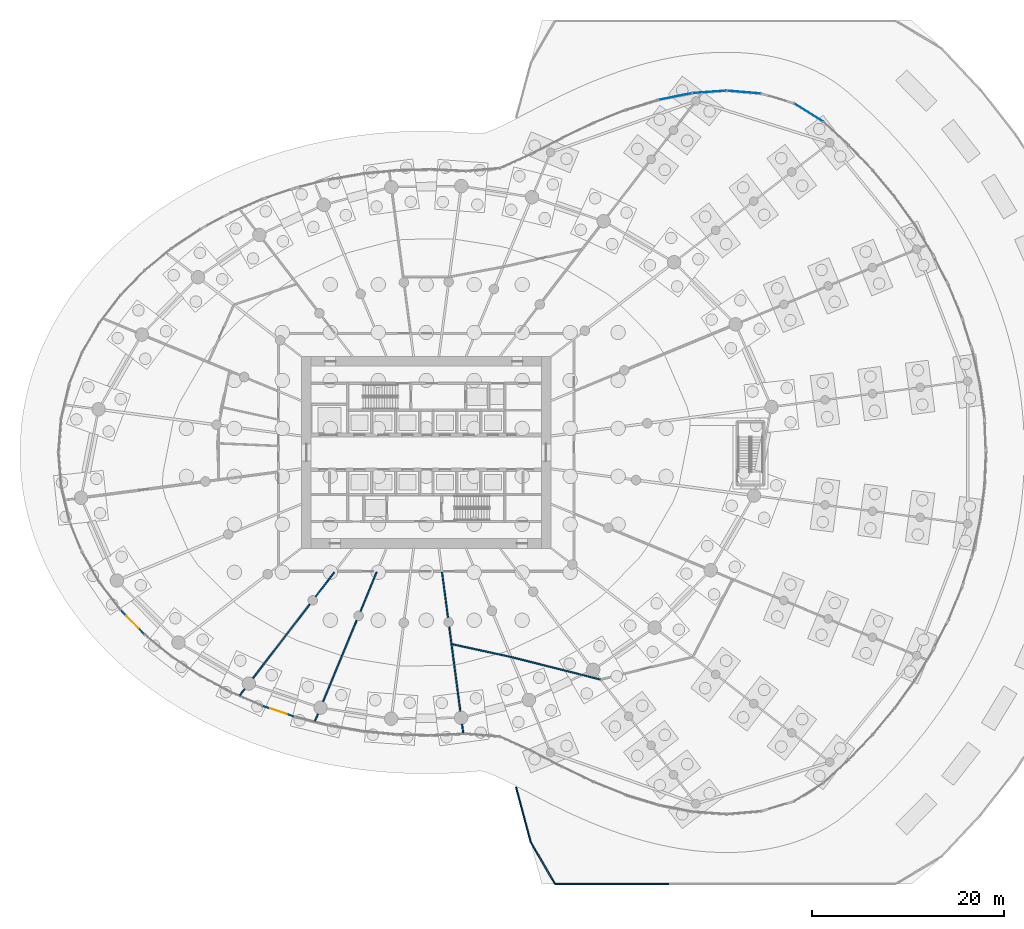
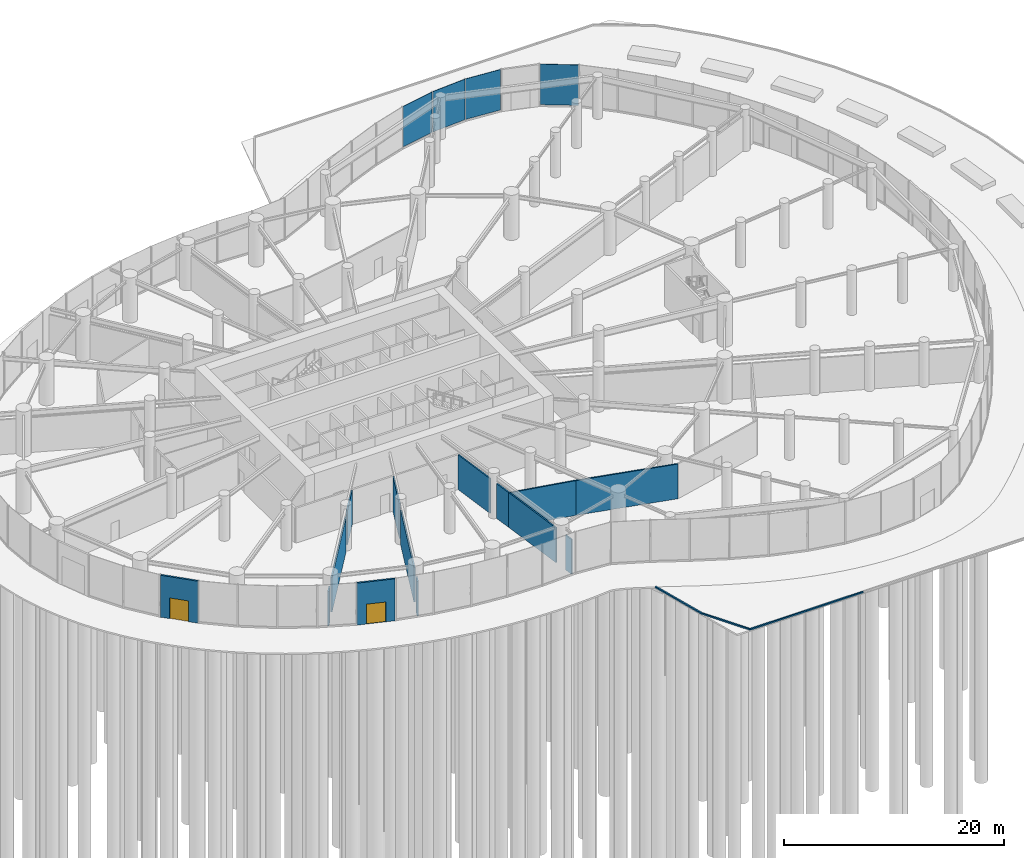
# One storey, part 16 of 28: 18 walls, 4 plates, 2 doors, 2 openings, 2 elements without a shape of their own.
"""IFC4 building model written with IfcOpenShell, lengths in metres."""

from ifc_helpers import new_model, si_unit, direction, frame, frame_2d, origin, origin_2d, place, context, subcontext, project, spatial, rectangle, extrude, source, transform, mapped, material, layer, layer_set, type_object, element, fill, aggregate, save


model = new_model("IFC4")

# Units and contexts
model_context = context("Model", 3, precision=1e-05, world=origin(), true_north=direction((0.0, 1.0)))
body_context = subcontext(model_context, "Body", "Model", "MODEL_VIEW")
ifc_project = project(units=[si_unit("LENGTHUNIT", "METRE"), si_unit("AREAUNIT", "SQUARE_METRE"), si_unit("VOLUMEUNIT", "CUBIC_METRE"), si_unit("PLANEANGLEUNIT", "RADIAN"), si_unit("MASSUNIT", "GRAM", prefix="KILO")], contexts=[model_context])

# Site, building, storey
site_placement = place(None, origin())
site = spatial("IfcSite", under=ifc_project, at=site_placement, CompositionType="ELEMENT")
building_placement = place(site_placement, origin())
building = spatial("IfcBuilding", under=site, at=building_placement, Name="Spindrift Exchange Tower", CompositionType="ELEMENT")
storey_placement = place(building_placement, origin())
storey = spatial("IfcBuildingStorey", under=building, at=storey_placement, Name="L00", CompositionType="ELEMENT", Elevation=0.0)

# Curtain wall, plate
ifc_material_1 = material(Name="Fritted laminated glass with bronze frame", Category="glass")
ifc_layer_1 = layer(ifc_material_1, 0.219970703125)
ifc_layer_set_1 = layer_set([ifc_layer_1], Name="PODIUM BRONZE GLAZED WALL")
curtain_wall_type = type_object("IfcCurtainWallType", Name="PODIUM BRONZE GLAZED WALL", PredefinedType="NOTDEFINED", material=ifc_layer_set_1)
curtain_wall_1_placement = place(storey_placement, origin())
curtain_wall_1 = element("IfcCurtainWall", 1, at=curtain_wall_1_placement, inside=storey, type_object=curtain_wall_type, Name="L00 Podium Bronze Glazed Wall run 2", PredefinedType="NOTDEFINED")
ifc_material_2 = material(Name="Bronze tinted laminated glass, clear vision", Category="glass")
ifc_layer_2 = layer(ifc_material_2, 0.0400390625)
ifc_layer_set_2 = layer_set([ifc_layer_2], Name="PODIUM BRONZE GLAZED WALL PANEL CLEAR 1200")
plate_type_1 = type_object("IfcPlateType", Name="PODIUM BRONZE GLAZED WALL PANEL CLEAR 1200", PredefinedType="CURTAIN_PANEL", material=ifc_layer_set_2)
shared_shape_1 = source(origin(), body_context, "Body", "SweptSolid", [
    extrude(rectangle(XDim=3.498291015625, YDim=0.0400390625, at=origin_2d()), origin(), (0.0, 0.0, 1.0), 4.489990234375),
])
plate_1_placement = place(storey_placement, frame((91.864990234375, 83.4228515625, 0.16015625), z_axis=(0.0, 0.0, 1.0), x_axis=(-0.847581626786, 0.530665041185, 0.0)))
plate_1 = element("IfcPlate", 2, at=plate_1_placement, type_object=plate_type_1, Name="L00 panel CW-P.12", PredefinedType="CURTAIN_PANEL", context=body_context, shape_type="MappedRepresentation", body=[
    mapped(shared_shape_1, transform((0.0, 0.0, 0.0), scale=1.0)),
])
aggregate(curtain_wall_1, [plate_1])

# Curtain wall, plates
curtain_wall_2_placement = place(storey_placement, origin())
curtain_wall_2 = element("IfcCurtainWall", 3, at=curtain_wall_2_placement, inside=storey, type_object=curtain_wall_type, Name="L00 Podium Bronze Glazed Wall run 3", PredefinedType="NOTDEFINED")
ifc_layer_3 = layer(ifc_material_2, 0.0400390625)
ifc_layer_set_3 = layer_set([ifc_layer_3], Name="PODIUM BRONZE GLAZED WALL PANEL CLEAR 1920")
plate_type_2 = type_object("IfcPlateType", Name="PODIUM BRONZE GLAZED WALL PANEL CLEAR 1920", PredefinedType="CURTAIN_PANEL", material=ifc_layer_set_3)
shared_shape_2 = source(origin(), body_context, "Body", "SweptSolid", [
    extrude(rectangle(XDim=3.5087890625, YDim=0.0400390625, at=origin_2d()), origin(), (0.0, 0.0, 1.0), 4.489990234375),
])
plate_2_placement = place(storey_placement, frame((85.10791015625, 85.55859375, 0.16015625), z_axis=(0.0, 0.0, 1.0), x_axis=(-0.996475019122, 0.083890024826, 0.0)))
plate_2 = element("IfcPlate", 4, at=plate_2_placement, type_object=plate_type_2, Name="L00 panel CW-P.14", PredefinedType="CURTAIN_PANEL", context=body_context, shape_type="MappedRepresentation", body=[
    mapped(shared_shape_2, transform((0.0, 0.0, 0.0), scale=1.0)),
])
ifc_layer_4 = layer(ifc_material_2, 0.0400390625)
ifc_layer_set_4 = layer_set([ifc_layer_4], Name="PODIUM BRONZE GLAZED WALL PANEL CLEAR 1560")
plate_type_3 = type_object("IfcPlateType", Name="PODIUM BRONZE GLAZED WALL PANEL CLEAR 1560", PredefinedType="CURTAIN_PANEL", material=ifc_layer_set_4)
shared_shape_3 = source(origin(), body_context, "Body", "SweptSolid", [
    extrude(rectangle(XDim=3.51025390625, YDim=0.0400390625, at=origin_2d()), origin(), (0.0, 0.0, 1.0), 4.489990234375),
])
plate_3_placement = place(storey_placement, frame((81.519287109375, 85.5810546875, 0.16015625), z_axis=(0.0, 0.0, 1.0), x_axis=(-0.997447018462, -0.071410400932, 0.0)))
plate_3 = element("IfcPlate", 5, at=plate_3_placement, type_object=plate_type_3, Name="L00 panel CW-P.15", PredefinedType="CURTAIN_PANEL", context=body_context, shape_type="MappedRepresentation", body=[
    mapped(shared_shape_3, transform((0.0, 0.0, 0.0), scale=1.0)),
])
shared_shape_4 = source(origin(), body_context, "Body", "SweptSolid", [
    extrude(rectangle(XDim=3.51123046875, YDim=0.0400390625, at=origin_2d()), origin(), (0.0, 0.0, 1.0), 4.489990234375),
])
plate_4_placement = place(storey_placement, frame((77.957763671875, 85.1005859375, 0.16015625), z_axis=(0.0, 0.0, 1.0), x_axis=(-0.980717121283, -0.195432668772, 0.0)))
plate_4 = element("IfcPlate", 6, at=plate_4_placement, type_object=plate_type_2, Name="L00 panel CW-P.16", PredefinedType="CURTAIN_PANEL", context=body_context, shape_type="MappedRepresentation", body=[
    mapped(shared_shape_4, transform((0.0, 0.0, 0.0), scale=1.0)),
])
aggregate(curtain_wall_2, [plate_2, plate_3, plate_4])

# Walls
ifc_material_3 = material(Name="Concrete 32 MPa precast kerb", Category="concrete")
ifc_layer_5 = layer(ifc_material_3, 0.14990234375)
ifc_layer_set_5 = layer_set([ifc_layer_5], Name="GARDEN KERB 150X150")
wall_type_1 = type_object("IfcWallType", Name="GARDEN KERB 150X150", PredefinedType="STANDARD", material=ifc_layer_set_5)
wall_1_placement = place(storey_placement, frame((77.260498046875, 3.0, 0.0), z_axis=(0.0, 0.0, 1.0), x_axis=(-1.0, 0.0, 0.0)))
element("IfcWall", 7, at=wall_1_placement, inside=storey, type_object=wall_type_1, Name="L00 Garden Kerb 31", PredefinedType="STANDARD", context=body_context, shape_type="SweptSolid", body=[
    extrude(rectangle(XDim=5.916015625, YDim=0.14990234375, at=frame_2d((2.9580078125, 0.0))), origin(), (0.0, 0.0, 1.0), 0.14990234375),
])
wall_2_placement = place(storey_placement, frame((71.344482421875, 3.0, 0.0), z_axis=(0.0, 0.0, 1.0), x_axis=(-1.0, 0.0, 0.0)))
element("IfcWall", 8, at=wall_2_placement, inside=storey, type_object=wall_type_1, Name="L00 Garden Kerb 32", PredefinedType="STANDARD", context=body_context, shape_type="SweptSolid", body=[
    extrude(rectangle(XDim=5.915771484375, YDim=0.14990234375, at=frame_2d((2.9580078125, 0.0))), origin(), (0.0, 0.0, 1.0), 0.14990234375),
])
wall_3_placement = place(storey_placement, frame((65.4287109375, 3.0, 0.0), z_axis=(0.0, 0.0, 1.0), x_axis=(-0.501898768173, 0.864926370569, 0.0)))
element("IfcWall", 9, at=wall_3_placement, inside=storey, type_object=wall_type_1, Name="L00 Garden Kerb 33", PredefinedType="STANDARD", context=body_context, shape_type="SweptSolid", body=[
    extrude(rectangle(XDim=5.075439453125, YDim=0.14990234375, at=frame_2d((2.53759765625, 0.0))), origin(), (0.0, 0.0, 1.0), 0.14990234375),
])
wall_4_placement = place(storey_placement, frame((62.88134765625, 7.389892578125, 0.0), z_axis=(0.0, 0.0, 1.0), x_axis=(-0.258795218761, 0.965932210223, 0.0)))
element("IfcWall", 10, at=wall_4_placement, inside=storey, type_object=wall_type_1, Name="L00 Garden Kerb 34", PredefinedType="STANDARD", context=body_context, shape_type="SweptSolid", body=[
    extrude(rectangle(XDim=5.916015625, YDim=0.14990234375, at=frame_2d((2.9580078125, 0.0))), origin(), (0.0, 0.0, 1.0), 0.14990234375),
])

# Wall, opening, door
ifc_material_4 = material(Name="Bronze anodised aluminium frame with fritted laminated glass spandrel", Category="aluminium")
ifc_layer_6 = layer(ifc_material_4, 0.179931640625)
ifc_layer_set_6 = layer_set([ifc_layer_6], Name="UNITISED FRAME WALL")
wall_type_2 = type_object("IfcWallType", Name="UNITISED FRAME WALL", PredefinedType="STANDARD", material=ifc_layer_set_6)
wall_5_placement = place(storey_placement, frame((22.607666015625, 29.055419921875, 0.0), z_axis=(0.0, 0.0, 1.0), x_axis=(-0.698468916807, 0.715640393113, 0.0)))
wall_5 = element("IfcWall", 11, at=wall_5_placement, inside=storey, type_object=wall_type_2, Name="L00 Frame Wall 44", PredefinedType="STANDARD", context=body_context, shape_type="SweptSolid", body=[
    extrude(rectangle(XDim=3.51171875, YDim=0.179931640625, at=frame_2d((1.755859375, 0.0))), origin(), (0.0, 0.0, 1.0), 4.64990234375),
])
opening_1_placement = place(wall_5_placement, frame((0.855712890625, 0.0, 0.0)))
opening_1 = element("IfcOpeningElement", 12, at=opening_1_placement, cuts=wall_5, Name="Opening ED00-6", PredefinedType="OPENING", context=body_context, shape_type="SweptSolid", body=[
    extrude(rectangle(XDim=1.800048828125, YDim=2.300048828125, at=frame_2d((0.89990234375, 1.14990234375))), frame((0.0, 0.099853515625, 0.0), z_axis=(0.0, -1.0, 0.0), x_axis=(1.0, 0.0, 0.0)), (0.0, 0.0, 1.0), 0.199951171875),
])
ifc_material_5 = material(Name="Galvanised steel door leaf, polyester powder coat", Category="steel")
door_type_1 = type_object("IfcDoorType", Name="SERVICE ENTRANCE DOOR 1800X2300", OperationType="DOUBLE_DOOR_SINGLE_SWING", PredefinedType="DOOR", material=ifc_material_5)
shared_shape_5 = source(origin(), body_context, "Body", "SweptSolid", [
    extrude(rectangle(XDim=1.800048828125, YDim=2.300048828125, at=frame_2d((0.89990234375, 1.14990234375))), frame((0.0, 0.02490234375, 0.0), z_axis=(0.0, -1.0, 0.0), x_axis=(1.0, 0.0, 0.0)), (0.0, 0.0, 1.0), 0.050048828125),
])
door_1_placement = place(opening_1_placement, origin())
door_1 = element("IfcDoor", 13, at=door_1_placement, inside=storey, type_object=door_type_1, Name="L00 Service Entrance Door ED00-6", OperationType="DOUBLE_DOOR_SINGLE_SWING", OverallHeight=2.300048828125, OverallWidth=1.800048828125, PredefinedType="DOOR", context=body_context, shape_type="MappedRepresentation", body=[
    mapped(shared_shape_5, transform((0.0, 0.0, 0.0), scale=1.0)),
])
fill(opening_1, door_1)

wall_6_placement = place(storey_placement, frame((38.26611328125, 20.459228515625, 0.0), z_axis=(0.0, 0.0, 1.0), x_axis=(-0.947474115606, 0.319832456541, 0.0)))
wall_6 = element("IfcWall", 14, at=wall_6_placement, inside=storey, type_object=wall_type_2, Name="L00 Frame Wall 49", PredefinedType="STANDARD", context=body_context, shape_type="SweptSolid", body=[
    extrude(rectangle(XDim=3.512939453125, YDim=0.179931640625, at=frame_2d((1.75634765625, 0.0))), origin(), (0.0, 0.0, 1.0), 4.64990234375),
])
opening_2_placement = place(wall_6_placement, frame((0.856201171875, 0.0, 0.0)))
opening_2 = element("IfcOpeningElement", 15, at=opening_2_placement, cuts=wall_6, Name="Opening ED00-9", PredefinedType="OPENING", context=body_context, shape_type="SweptSolid", body=[
    extrude(rectangle(XDim=1.800048828125, YDim=2.199951171875, at=frame_2d((0.89990234375, 1.10009765625))), frame((0.0, 0.099853515625, 0.0), z_axis=(0.0, -1.0, 0.0), x_axis=(1.0, 0.0, 0.0)), (0.0, 0.0, 1.0), 0.199951171875),
])
door_type_2 = type_object("IfcDoorType", Name="PLANT ROOM EXIT DOOR 1800X2200", OperationType="DOUBLE_DOOR_SINGLE_SWING", PredefinedType="DOOR", material=ifc_material_5)
shared_shape_6 = source(origin(), body_context, "Body", "SweptSolid", [
    extrude(rectangle(XDim=1.800048828125, YDim=2.199951171875, at=frame_2d((0.89990234375, 1.10009765625))), frame((0.0, 0.02490234375, 0.0), z_axis=(0.0, -1.0, 0.0), x_axis=(1.0, 0.0, 0.0)), (0.0, 0.0, 1.0), 0.050048828125),
])
door_2_placement = place(opening_2_placement, origin())
door_2 = element("IfcDoor", 16, at=door_2_placement, inside=storey, type_object=door_type_2, Name="L00 Plant Room Exit Door ED00-9", OperationType="DOUBLE_DOOR_SINGLE_SWING", OverallHeight=2.199951171875, OverallWidth=1.800048828125, PredefinedType="DOOR", context=body_context, shape_type="MappedRepresentation", body=[
    mapped(shared_shape_6, transform((0.0, 0.0, 0.0), scale=1.0)),
])
fill(opening_2, door_2)

# Walls
ifc_material_6 = material(Name="Fire-rated plasterboard partition", Category="gypsum")
ifc_layer_7 = layer(ifc_material_6, 0.139892578125)
ifc_layer_set_7 = layer_set([ifc_layer_7], Name="W-PART-140")
wall_type_3 = type_object("IfcWallType", Name="W-PART-140", PredefinedType="PARTITIONING", material=ifc_layer_set_7)
wall_7_placement = place(storey_placement, frame((53.644287109375, 35.510009765625, 0.0), z_axis=(0.0, 0.0, 1.0), x_axis=(0.130548834981, -0.991441880135, 0.0)))
element("IfcWall", 17, at=wall_7_placement, inside=storey, type_object=wall_type_3, Name="L00 Partition wall 95", PredefinedType="PARTITIONING", context=body_context, shape_type="SweptSolid", body=[
    extrude(rectangle(XDim=4.75390625, YDim=0.139892578125, at=frame_2d((2.376953125, 0.0))), origin(), (0.0, 0.0, 1.0), 3.85009765625),
])
wall_8_placement = place(storey_placement, frame((54.396484375, 29.796630859375, 0.0), z_axis=(0.0, 0.0, 1.0), x_axis=(0.130537046291, -0.991443432348, 0.0)))
element("IfcWall", 18, at=wall_8_placement, inside=storey, type_object=wall_type_3, Name="L00 Partition wall 123", PredefinedType="PARTITIONING", context=body_context, shape_type="SweptSolid", body=[
    extrude(rectangle(XDim=1.760009765625, YDim=0.139892578125, at=frame_2d((0.8798828125, 0.0))), origin(), (0.0, 0.0, 1.0), 3.85009765625),
])
ifc_layer_8 = layer(ifc_material_6, 0.139892578125)
ifc_layer_set_8 = layer_set([ifc_layer_8], Name="W-PLANT-140")
wall_type_4 = type_object("IfcWallType", Name="W-PLANT-140", PredefinedType="PARTITIONING", material=ifc_layer_set_8)
wall_9_placement = place(storey_placement, frame((39.85791015625, 32.176025390625, 0.0), z_axis=(0.0, 0.0, 1.0), x_axis=(-0.608770295053, -0.793346537057, 0.0)))
element("IfcWall", 19, at=wall_9_placement, inside=storey, type_object=wall_type_4, Name="L00 Partition wall 73", PredefinedType="PARTITIONING", context=body_context, shape_type="SweptSolid", body=[
    extrude(rectangle(XDim=9.727294921875, YDim=0.139892578125, at=frame_2d((4.86376953125, 0.0))), origin(), (0.0, 0.0, 1.0), 3.85009765625),
])
wall_10_placement = place(storey_placement, frame((60.833251953125, 26.67431640625, 0.0), z_axis=(0.0, 0.0, 1.0), x_axis=(0.969661844415, -0.244450214738, 0.0)))
element("IfcWall", 20, at=wall_10_placement, inside=storey, type_object=wall_type_4, Name="L00 Partition wall 75", PredefinedType="PARTITIONING", context=body_context, shape_type="SweptSolid", body=[
    extrude(rectangle(XDim=9.598876953125, YDim=0.139892578125, at=frame_2d((4.79931640625, 0.0))), origin(), (0.0, 0.0, 1.0), 3.85009765625),
])
wall_11_placement = place(storey_placement, frame((44.752197265625, 30.502197265625, 0.0), z_axis=(0.0, 0.0, 1.0), x_axis=(-0.382672728165, -0.923883966264, 0.0)))
element("IfcWall", 21, at=wall_11_placement, inside=storey, type_object=wall_type_4, Name="L00 Partition wall 77", PredefinedType="PARTITIONING", context=body_context, shape_type="SweptSolid", body=[
    extrude(rectangle(XDim=9.15966796875, YDim=0.139892578125, at=frame_2d((4.579833984375, 0.0))), origin(), (0.0, 0.0, 1.0), 3.85009765625),
])
wall_12_placement = place(storey_placement, frame((54.630126953125, 28.02197265625, 0.0), z_axis=(0.0, 0.0, 1.0), x_axis=(0.130536083574, -0.991443559102, 0.0)))
element("IfcWall", 22, at=wall_12_placement, inside=storey, type_object=wall_type_4, Name="L00 Partition wall 83", PredefinedType="PARTITIONING", context=body_context, shape_type="SweptSolid", body=[
    extrude(rectangle(XDim=7.04541015625, YDim=0.139892578125, at=frame_2d((3.522705078125, 0.0))), origin(), (0.0, 0.0, 1.0), 3.85009765625),
])
wall_13_placement = place(storey_placement, frame((54.702880859375, 28.006103515625, 0.0), z_axis=(0.0, 0.0, 1.0), x_axis=(0.977213758918, -0.212257554358, 0.0)))
element("IfcWall", 23, at=wall_13_placement, inside=storey, type_object=wall_type_4, Name="L00 Partition wall 87", PredefinedType="PARTITIONING", context=body_context, shape_type="SweptSolid", body=[
    extrude(rectangle(XDim=6.243408203125, YDim=0.139892578125, at=frame_2d((3.12158203125, 0.0))), origin(), (0.0, 0.0, 1.0), 3.85009765625),
])
wall_14_placement = place(storey_placement, frame((46.826416015625, 35.510009765625, 0.0), z_axis=(0.0, 0.0, 1.0), x_axis=(-0.382672831764, -0.923883923353, 0.0)))
element("IfcWall", 24, at=wall_14_placement, inside=storey, type_object=wall_type_4, Name="L00 Partition wall 97", PredefinedType="PARTITIONING", context=body_context, shape_type="SweptSolid", body=[
    extrude(rectangle(XDim=4.410400390625, YDim=0.139892578125, at=frame_2d((2.205078125, 0.0))), origin(), (0.0, 0.0, 1.0), 3.85009765625),
])
wall_15_placement = place(storey_placement, frame((42.416015625, 35.510009765625, 0.0), z_axis=(0.0, 0.0, 1.0), x_axis=(-0.60874605662, -0.793365135703, 0.0)))
element("IfcWall", 25, at=wall_15_placement, inside=storey, type_object=wall_type_4, Name="L00 Partition wall 111", PredefinedType="PARTITIONING", context=body_context, shape_type="SweptSolid", body=[
    extrude(rectangle(XDim=3.193603515625, YDim=0.139892578125, at=frame_2d((1.5966796875, 0.0))), origin(), (0.0, 0.0, 1.0), 3.85009765625),
])
wall_16_placement = place(storey_placement, frame((55.733642578125, 19.640380859375, 0.0), z_axis=(0.0, 0.0, 1.0), x_axis=(0.13059675412, -0.991435569169, 0.0)))
element("IfcWall", 26, at=wall_16_placement, inside=storey, type_object=wall_type_4, Name="L00 Partition wall 127", PredefinedType="PARTITIONING", context=body_context, shape_type="SweptSolid", body=[
    extrude(rectangle(XDim=0.887939453125, YDim=0.139892578125, at=frame_2d((0.44384765625, 0.0))), origin(), (0.0, 0.0, 1.0), 3.85009765625),
])
wall_17_placement = place(storey_placement, frame((33.0791015625, 23.341552734375, 0.0), z_axis=(0.0, 0.0, 1.0), x_axis=(-0.608939798959, -0.793216440351, 0.0)))
element("IfcWall", 27, at=wall_17_placement, inside=storey, type_object=wall_type_4, Name="L00 Partition wall 128", PredefinedType="PARTITIONING", context=body_context, shape_type="SweptSolid", body=[
    extrude(rectangle(XDim=0.82666015625, YDim=0.139892578125, at=frame_2d((0.413330078125, 0.0))), origin(), (0.0, 0.0, 1.0), 3.85009765625),
])
wall_18_placement = place(storey_placement, frame((40.70751953125, 20.7373046875, 0.0), z_axis=(0.0, 0.0, 1.0), x_axis=(-0.382692107758, -0.923875938998, 0.0)))
element("IfcWall", 28, at=wall_18_placement, inside=storey, type_object=wall_type_4, Name="L00 Partition wall 129", PredefinedType="PARTITIONING", context=body_context, shape_type="SweptSolid", body=[
    extrude(rectangle(XDim=0.802490234375, YDim=0.139892578125, at=frame_2d((0.4013671875, 0.0))), origin(), (0.0, 0.0, 1.0), 3.85009765625),
])

save(model, "model.ifc")
